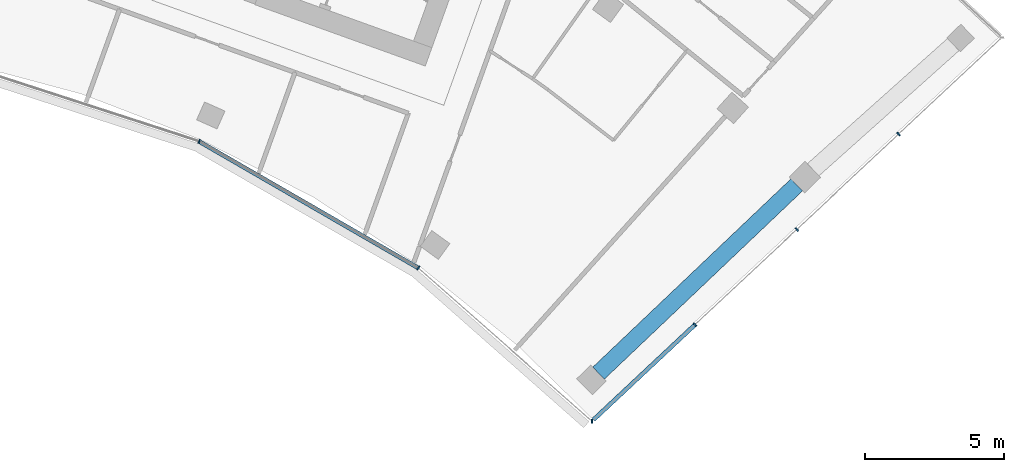
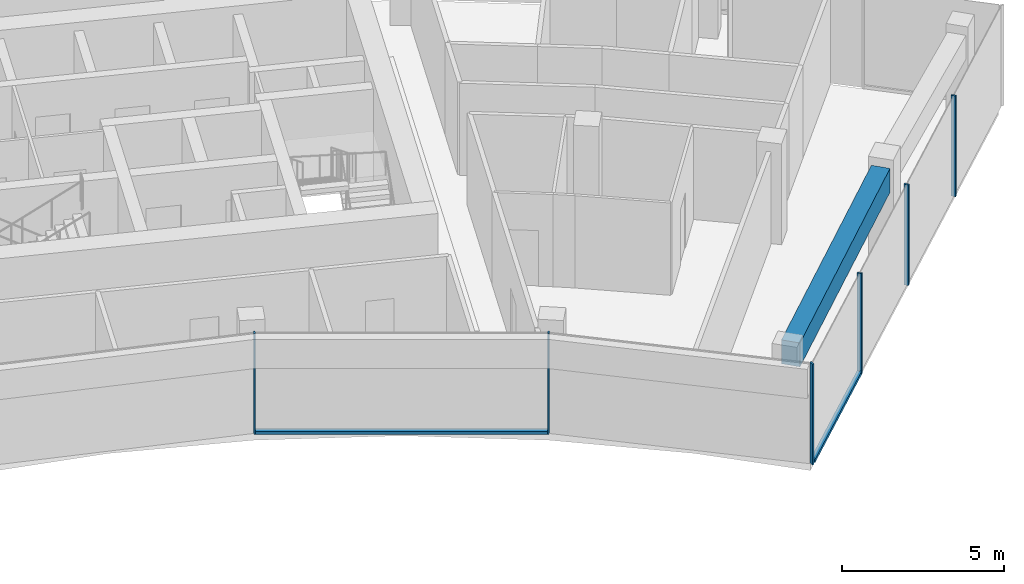
# One storey, part 8 of 18: 8 members, 1 beam, 2 elements without a shape of their own.
"""IFC4 building model written with IfcOpenShell, lengths in metres."""

from ifc_helpers import new_model, si_unit, direction, frame, origin, origin_2d, place, context, subcontext, project, spatial, rectangle, extrude, material, layer, layer_set, material_profile, profile_set, type_object, element, aggregate, save


model = new_model("IFC4")

# Units and contexts
model_context = context("Model", 3, precision=1e-05, world=origin(), true_north=direction((0.0, 1.0)))
body_context = subcontext(model_context, "Body", "Model", "MODEL_VIEW")
ifc_project = project(units=[si_unit("LENGTHUNIT", "METRE"), si_unit("AREAUNIT", "SQUARE_METRE"), si_unit("VOLUMEUNIT", "CUBIC_METRE"), si_unit("PLANEANGLEUNIT", "RADIAN"), si_unit("MASSUNIT", "GRAM", prefix="KILO")], contexts=[model_context])

# Site, building, storey
site_placement = place(None, origin())
site = spatial("IfcSite", under=ifc_project, at=site_placement, CompositionType="ELEMENT")
building_placement = place(site_placement, origin())
building = spatial("IfcBuilding", under=site, at=building_placement, Name="Stone Belt Terrace Tower", CompositionType="ELEMENT")
storey_placement = place(building_placement, frame((0.0, 0.0, 277.0)))
storey = spatial("IfcBuildingStorey", under=building, at=storey_placement, Name="L67", CompositionType="ELEMENT", Elevation=277.0)

# Curtain wall, members
ifc_material_1 = material(Name="Aluminium 6063-T6 anodised frame", Category="aluminium")
ifc_layer_1 = layer(ifc_material_1, 0.14990234375)
ifc_layer_set_1 = layer_set([ifc_layer_1], Name="CW-B unitised concave-face curtain wall")
curtain_wall_type_1 = type_object("IfcCurtainWallType", Name="CW-B unitised concave-face curtain wall", PredefinedType="NOTDEFINED", material=ifc_layer_set_1)
curtain_wall_1_placement = place(storey_placement, origin())
curtain_wall_1 = element("IfcCurtainWall", 1, at=curtain_wall_1_placement, inside=storey, type_object=curtain_wall_type_1, Name="CW-B concave face L67", PredefinedType="NOTDEFINED")
ifc_material_profile_1 = material_profile(ifc_material_1, rectangle(XDim=0.14990234375, YDim=0.050048828125, at=origin_2d()), Name="Aluminium 6063-T6 50x150")
ifc_profile_set_1 = profile_set([ifc_material_profile_1], Name="Aluminium 6063-T6 anodised frame")
member_type_1 = type_object("IfcMemberType", Name="CW-B mullion 50 x 150", PredefinedType="MULLION", material=ifc_profile_set_1)
member_1_placement = place(storey_placement, frame((17.662353515625, 39.67041015625, 0.0), z_axis=(0.0, 0.0, 1.0), x_axis=(0.406736643076, 0.913545457643, 0.0)))
member_1 = element("IfcMember", 2, at=member_1_placement, type_object=member_type_1, Name="CW-B mullion 7", PredefinedType="MULLION", context=body_context, shape_type="SweptSolid", body=[
    extrude(rectangle(XDim=0.14990234375, YDim=0.050048828125, at=origin_2d()), origin(), (0.0, 0.0, 1.0), 3.800048828125),
])
member_2_placement = place(storey_placement, frame((25.524658203125, 35.131103515625, 0.0), z_axis=(0.0, 0.0, 1.0), x_axis=(0.583818854632, 0.811883947973, 0.0)))
member_2 = element("IfcMember", 3, at=member_2_placement, type_object=member_type_1, Name="CW-B mullion 8", PredefinedType="MULLION", context=body_context, shape_type="SweptSolid", body=[
    extrude(rectangle(XDim=0.14990234375, YDim=0.050048828125, at=origin_2d()), origin(), (0.0, 0.0, 1.0), 3.800048828125),
])
ifc_material_profile_2 = material_profile(ifc_material_1, rectangle(XDim=0.14990234375, YDim=0.1201171875, at=origin_2d()), Name="Aluminium 6063-T6 150x120")
ifc_profile_set_2 = profile_set([ifc_material_profile_2], Name="Aluminium 6063-T6 anodised frame")
member_type_2 = type_object("IfcMemberType", Name="CW-B transom 120 x 150", PredefinedType="USERDEFINED", material=ifc_profile_set_2)
member_3_placement = place(storey_placement, frame((17.690673828125, 39.654052734375, 0.06005859375), z_axis=(0.866020948727, -0.500007716307, 0.0), x_axis=(0.500007716307, 0.866020948727, 0.0)))
member_3 = element("IfcMember", 4, at=member_3_placement, type_object=member_type_2, Name="CW-B transom 7.1", ObjectType="TRANSOM", PredefinedType="USERDEFINED", context=body_context, shape_type="SweptSolid", body=[
    extrude(rectangle(XDim=0.14990234375, YDim=0.1201171875, at=origin_2d()), origin(), (0.0, 0.0, 1.0), 9.013427734375),
])
aggregate(curtain_wall_1, [member_1, member_2, member_3])

ifc_layer_2 = layer(ifc_material_1, 0.14990234375)
ifc_layer_set_2 = layer_set([ifc_layer_2], Name="CW-C stick curtain wall, horn ends and notches")
curtain_wall_type_2 = type_object("IfcCurtainWallType", Name="CW-C stick curtain wall, horn ends and notches", PredefinedType="NOTDEFINED", material=ifc_layer_set_2)
curtain_wall_2_placement = place(storey_placement, origin())
curtain_wall_2 = element("IfcCurtainWall", 5, at=curtain_wall_2_placement, inside=storey, type_object=curtain_wall_type_2, Name="CW-C end face L67", PredefinedType="NOTDEFINED")
ifc_material_profile_3 = material_profile(ifc_material_1, rectangle(XDim=0.14990234375, YDim=0.06005859375, at=origin_2d()), Name="Aluminium 6063-T6 60x150")
ifc_profile_set_3 = profile_set([ifc_material_profile_3], Name="Aluminium 6063-T6 anodised frame")
member_type_3 = type_object("IfcMemberType", Name="CW-C mullion 60 x 150", PredefinedType="MULLION", material=ifc_profile_set_3)
member_4_placement = place(storey_placement, frame((31.75244140625, 29.633056640625, 0.0), z_axis=(0.0, 0.0, 1.0), x_axis=(-0.014681639593, 0.999892218921, 0.0)))
member_4 = element("IfcMember", 6, at=member_4_placement, type_object=member_type_3, Name="CW-C mullion 1", PredefinedType="MULLION", context=body_context, shape_type="SweptSolid", body=[
    extrude(rectangle(XDim=0.14990234375, YDim=0.06005859375, at=origin_2d()), origin(), (0.0, 0.0, 1.0), 3.800048828125),
])
member_5_placement = place(storey_placement, frame((35.45166015625, 33.097412109375, 0.0), z_axis=(0.0, 0.0, 1.0), x_axis=(-0.683549434973, 0.729904219708, 0.0)))
member_5 = element("IfcMember", 7, at=member_5_placement, type_object=member_type_3, Name="CW-C mullion 2", PredefinedType="MULLION", context=body_context, shape_type="SweptSolid", body=[
    extrude(rectangle(XDim=0.14990234375, YDim=0.06005859375, at=origin_2d()), origin(), (0.0, 0.0, 1.0), 3.800048828125),
])
member_6_placement = place(storey_placement, frame((39.10107421875, 36.51513671875, 0.0), z_axis=(0.0, 0.0, 1.0), x_axis=(-0.683549434973, 0.729904219708, 0.0)))
member_6 = element("IfcMember", 8, at=member_6_placement, type_object=member_type_3, Name="CW-C mullion 3", PredefinedType="MULLION", context=body_context, shape_type="SweptSolid", body=[
    extrude(rectangle(XDim=0.14990234375, YDim=0.06005859375, at=origin_2d()), origin(), (0.0, 0.0, 1.0), 3.800048828125),
])
member_7_placement = place(storey_placement, frame((42.750732421875, 39.932861328125, 0.0), z_axis=(0.0, 0.0, 1.0), x_axis=(-0.683549434973, 0.729904219708, 0.0)))
member_7 = element("IfcMember", 9, at=member_7_placement, type_object=member_type_3, Name="CW-C mullion 4", PredefinedType="MULLION", context=body_context, shape_type="SweptSolid", body=[
    extrude(rectangle(XDim=0.14990234375, YDim=0.06005859375, at=origin_2d()), origin(), (0.0, 0.0, 1.0), 3.800048828125),
])
ifc_material_profile_4 = material_profile(ifc_material_1, rectangle(XDim=0.14990234375, YDim=0.1201171875, at=origin_2d()), Name="Aluminium 6063-T6 150x120")
ifc_profile_set_4 = profile_set([ifc_material_profile_4], Name="Aluminium 6063-T6 anodised frame")
member_type_4 = type_object("IfcMemberType", Name="CW-C transom 120 x 150", PredefinedType="USERDEFINED", material=ifc_profile_set_4)
member_8_placement = place(storey_placement, frame((31.805419921875, 29.6826171875, 0.06005859375), z_axis=(0.72988516347, 0.683569782938, 0.0), x_axis=(-0.683569782938, 0.72988516347, 0.0)))
member_8 = element("IfcMember", 10, at=member_8_placement, type_object=member_type_4, Name="CW-C transom 1.1", ObjectType="TRANSOM", PredefinedType="USERDEFINED", context=body_context, shape_type="SweptSolid", body=[
    extrude(rectangle(XDim=0.14990234375, YDim=0.1201171875, at=origin_2d()), origin(), (0.0, 0.0, 1.0), 4.965576171875),
])
aggregate(curtain_wall_2, [member_4, member_5, member_6, member_7, member_8])

# Beam
ifc_material_2 = material(Name="Concrete B60", Category="concrete")
ifc_material_profile_5 = material_profile(ifc_material_2, rectangle(XDim=0.60009765625, YDim=0.89990234375, at=origin_2d()), Name="RC 600x900")
ifc_profile_set_5 = profile_set([ifc_material_profile_5], Name="Concrete B60")
beam_type = type_object("IfcBeamType", Name="Edge beam RC 600x900 B60", PredefinedType="SPANDREL", material=ifc_profile_set_5)
beam_placement = place(storey_placement, frame((31.98876953125, 31.35791015625, 3.030029296875), z_axis=(0.72502367576, 0.688723942946, 0.0), x_axis=(-0.688723942946, 0.72502367576, 0.0)))
element("IfcBeam", 11, at=beam_placement, inside=storey, type_object=beam_type, Name="Edge beam L67 B P to Q", PredefinedType="SPANDREL", context=body_context, shape_type="SweptSolid", body=[
    extrude(rectangle(XDim=0.60009765625, YDim=0.89990234375, at=origin_2d()), origin(), (0.0, 0.0, 1.0), 9.80615234375),
])

save(model, "model.ifc")
